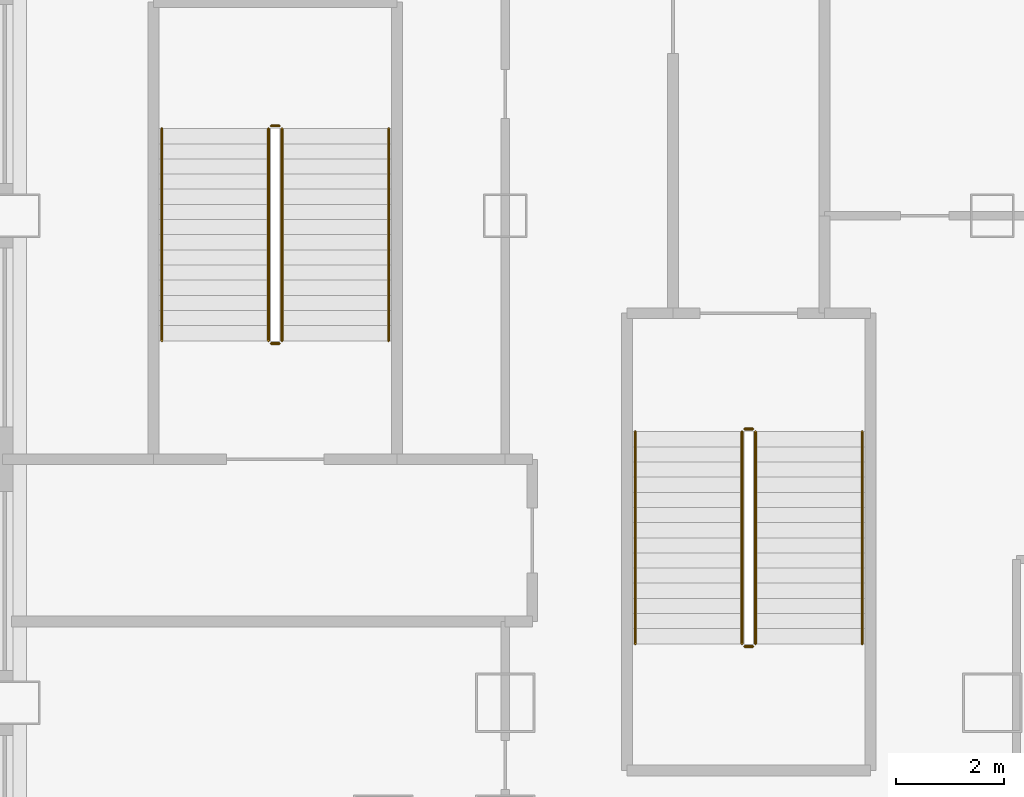
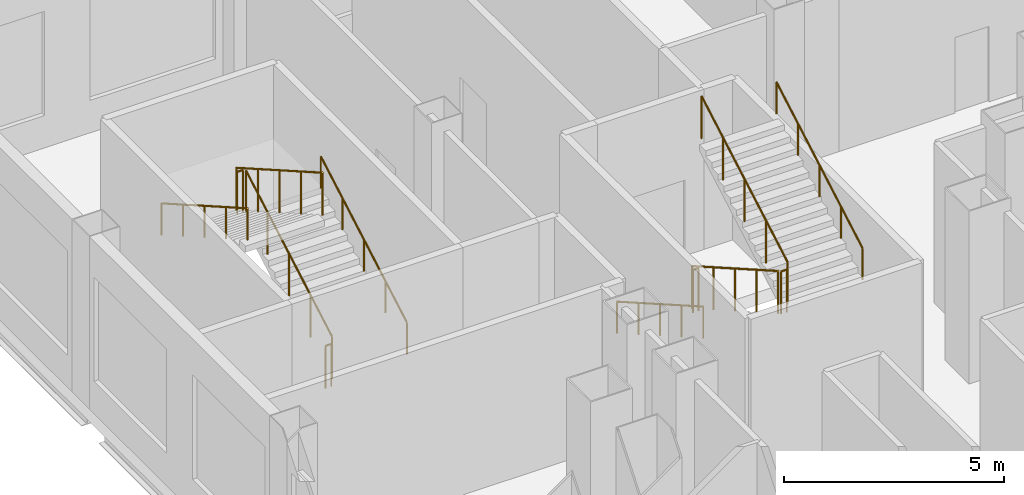
# One storey, part 21 of 23: 12 railings.
"""IFC4 building model written with IfcOpenShell, lengths in metres."""

from ifc_helpers import new_model, si_unit, direction, frame, origin, origin_2d, place, context, subcontext, project, spatial, circle, extrude, material, type_object, element, save


model = new_model("IFC4")

# Units and contexts
model_context = context("Model", 3, precision=1e-05, world=origin(), true_north=direction((0.0, 1.0)))
body_context = subcontext(model_context, "Body", "Model", "MODEL_VIEW")
ifc_project = project(units=[si_unit("LENGTHUNIT", "METRE"), si_unit("AREAUNIT", "SQUARE_METRE"), si_unit("VOLUMEUNIT", "CUBIC_METRE"), si_unit("PLANEANGLEUNIT", "RADIAN"), si_unit("MASSUNIT", "GRAM", prefix="KILO")], contexts=[model_context])

# Site, building, storey
site_placement = place(None, origin())
site = spatial("IfcSite", under=ifc_project, at=site_placement, CompositionType="ELEMENT")
building_placement = place(site_placement, origin())
building = spatial("IfcBuilding", under=site, at=building_placement, Name="Caravel Reach Hotel and Residences", CompositionType="ELEMENT")
storey_placement = place(building_placement, frame((0.0, 0.0, 24.0)))
storey = spatial("IfcBuildingStorey", under=building, at=storey_placement, Name="L04", CompositionType="ELEMENT", Elevation=24.0)

# Railings
ifc_material_1 = material(Name="Steel balustrade with glass infill", Category="steel")
railing_type_1 = type_object("IfcRailingType", Name="Guard 1200", PredefinedType="GUARDRAIL", material=ifc_material_1)
railing_1_placement = place(storey_placement, frame((8.875, 41.010009765625, 0.159912109375)))
element("IfcRailing", 1, at=railing_1_placement, inside=storey, type_object=railing_type_1, Name="L04 ST-P1 stair guard 1", PredefinedType="GUARDRAIL", context=body_context, shape_type="SweptSolid", body=[
    extrude(circle(Radius=0.02392578125, at=origin_2d()), frame((0.0, 0.0, 1.17578125), z_axis=(0.0, -0.868239814368, 0.496144761885), x_axis=(1.0, 0.0, 0.0)), (0.0, 0.0, 1.0), 4.514892578125),
    extrude(circle(Radius=0.02099609375, at=origin_2d()), origin(), (0.0, 0.0, 1.0), 1.15185546875),
    extrude(circle(Radius=0.02099609375, at=origin_2d()), frame((0.0, -0.97998046875, 0.56005859375)), (0.0, 0.0, 1.0), 1.15185546875),
    extrude(circle(Radius=0.02099609375, at=origin_2d()), frame((0.0, -1.9599609375, 1.1201171875)), (0.0, 0.0, 1.0), 1.15185546875),
    extrude(circle(Radius=0.02099609375, at=origin_2d()), frame((0.0, -2.93994140625, 1.679931640625)), (0.0, 0.0, 1.0), 1.15185546875),
    extrude(circle(Radius=0.02099609375, at=origin_2d()), frame((0.0, -3.919921875, 2.239990234375)), (0.0, 0.0, 1.0), 1.15185546875),
])
railing_2_placement = place(storey_placement, frame((8.925048828125, 37.0400390625, 2.39990234375)))
element("IfcRailing", 2, at=railing_2_placement, inside=storey, type_object=railing_type_1, Name="L04 ST-P1 stair guard 2", PredefinedType="GUARDRAIL", context=body_context, shape_type="SweptSolid", body=[
    extrude(circle(Radius=0.02392578125, at=origin_2d()), frame((0.0, 0.0, 1.17578125), z_axis=(1.0, 0.0, 0.0), x_axis=(0.0, 1.0, 0.0)), (0.0, 0.0, 1.0), 0.14990234375),
    extrude(circle(Radius=0.02099609375, at=origin_2d()), origin(), (0.0, 0.0, 1.0), 1.15185546875),
    extrude(circle(Radius=0.02099609375, at=origin_2d()), frame((0.14990234375, 0.0, 0.0)), (0.0, 0.0, 1.0), 1.15185546875),
])
railing_3_placement = place(storey_placement, frame((9.125, 37.090087890625, 2.56005859375)))
element("IfcRailing", 3, at=railing_3_placement, inside=storey, type_object=railing_type_1, Name="L04 ST-P1 stair guard 3", PredefinedType="GUARDRAIL", context=body_context, shape_type="SweptSolid", body=[
    extrude(circle(Radius=0.02392578125, at=origin_2d()), frame((0.0, 0.0, 1.17578125), z_axis=(0.0, 0.868239814368, 0.496144761885), x_axis=(-1.0, 0.0, 0.0)), (0.0, 0.0, 1.0), 4.514892578125),
    extrude(circle(Radius=0.02099609375, at=origin_2d()), origin(), (0.0, 0.0, 1.0), 1.15185546875),
    extrude(circle(Radius=0.02099609375, at=origin_2d()), frame((0.0, 0.97998046875, 0.56005859375)), (0.0, 0.0, 1.0), 1.15185546875),
    extrude(circle(Radius=0.02099609375, at=origin_2d()), frame((0.0, 1.9599609375, 1.1201171875)), (0.0, 0.0, 1.0), 1.15185546875),
    extrude(circle(Radius=0.02099609375, at=origin_2d()), frame((0.0, 2.93994140625, 1.679931640625)), (0.0, 0.0, 1.0), 1.15185546875),
    extrude(circle(Radius=0.02099609375, at=origin_2d()), frame((0.0, 3.919921875, 2.239990234375)), (0.0, 0.0, 1.0), 1.15185546875),
])
railing_4_placement = place(storey_placement, frame((8.925048828125, 41.06005859375, 0.0)))
element("IfcRailing", 4, at=railing_4_placement, inside=storey, type_object=railing_type_1, Name="L04 ST-P1 stair guard 4", PredefinedType="GUARDRAIL", context=body_context, shape_type="SweptSolid", body=[
    extrude(circle(Radius=0.02392578125, at=origin_2d()), frame((0.0, 0.0, 1.17578125), z_axis=(1.0, 0.0, 0.0), x_axis=(0.0, 1.0, 0.0)), (0.0, 0.0, 1.0), 0.14990234375),
    extrude(circle(Radius=0.02099609375, at=origin_2d()), origin(), (0.0, 0.0, 1.0), 1.15185546875),
    extrude(circle(Radius=0.02099609375, at=origin_2d()), frame((0.14990234375, 0.0, 0.0)), (0.0, 0.0, 1.0), 1.15185546875),
])
railing_5_placement = place(storey_placement, frame((0.375, 42.68994140625, 0.159912109375)))
element("IfcRailing", 5, at=railing_5_placement, inside=storey, type_object=railing_type_1, Name="L04 ST-P5 stair guard 1", PredefinedType="GUARDRAIL", context=body_context, shape_type="SweptSolid", body=[
    extrude(circle(Radius=0.02392578125, at=origin_2d()), frame((0.0, 0.0, 1.17578125), z_axis=(0.0, 0.86825312469, 0.496121468458), x_axis=(-1.0, 0.0, 0.0)), (0.0, 0.0, 1.0), 4.514892578125),
    extrude(circle(Radius=0.02099609375, at=origin_2d()), origin(), (0.0, 0.0, 1.0), 1.15185546875),
    extrude(circle(Radius=0.02099609375, at=origin_2d()), frame((0.0, 0.97998046875, 0.56005859375)), (0.0, 0.0, 1.0), 1.15185546875),
    extrude(circle(Radius=0.02099609375, at=origin_2d()), frame((0.0, 1.9599609375, 1.1201171875)), (0.0, 0.0, 1.0), 1.15185546875),
    extrude(circle(Radius=0.02099609375, at=origin_2d()), frame((0.0, 2.940185546875, 1.679931640625)), (0.0, 0.0, 1.0), 1.15185546875),
    extrude(circle(Radius=0.02099609375, at=origin_2d()), frame((0.0, 3.920166015625, 2.239990234375)), (0.0, 0.0, 1.0), 1.15185546875),
])
railing_6_placement = place(storey_placement, frame((0.324951171875, 46.659912109375, 2.39990234375)))
element("IfcRailing", 6, at=railing_6_placement, inside=storey, type_object=railing_type_1, Name="L04 ST-P5 stair guard 2", PredefinedType="GUARDRAIL", context=body_context, shape_type="SweptSolid", body=[
    extrude(circle(Radius=0.02392578125, at=origin_2d()), frame((0.0, 0.0, 1.17578125), z_axis=(-1.0, 0.0, 0.0), x_axis=(0.0, -1.0, 0.0)), (0.0, 0.0, 1.0), 0.14990234375),
    extrude(circle(Radius=0.02099609375, at=origin_2d()), origin(), (0.0, 0.0, 1.0), 1.15185546875),
    extrude(circle(Radius=0.02099609375, at=origin_2d()), frame((-0.14990234375, 0.0, 0.0)), (0.0, 0.0, 1.0), 1.15185546875),
])
railing_7_placement = place(storey_placement, frame((0.125, 46.610107421875, 2.56005859375)))
element("IfcRailing", 7, at=railing_7_placement, inside=storey, type_object=railing_type_1, Name="L04 ST-P5 stair guard 3", PredefinedType="GUARDRAIL", context=body_context, shape_type="SweptSolid", body=[
    extrude(circle(Radius=0.02392578125, at=origin_2d()), frame((0.0, 0.0, 1.17578125), z_axis=(0.0, -0.86825312469, 0.496121468458), x_axis=(1.0, 0.0, 0.0)), (0.0, 0.0, 1.0), 4.514892578125),
    extrude(circle(Radius=0.02099609375, at=origin_2d()), origin(), (0.0, 0.0, 1.0), 1.15185546875),
    extrude(circle(Radius=0.02099609375, at=origin_2d()), frame((0.0, -0.97998046875, 0.56005859375)), (0.0, 0.0, 1.0), 1.15185546875),
    extrude(circle(Radius=0.02099609375, at=origin_2d()), frame((0.0, -1.9599609375, 1.1201171875)), (0.0, 0.0, 1.0), 1.15185546875),
    extrude(circle(Radius=0.02099609375, at=origin_2d()), frame((0.0, -2.940185546875, 1.679931640625)), (0.0, 0.0, 1.0), 1.15185546875),
    extrude(circle(Radius=0.02099609375, at=origin_2d()), frame((0.0, -3.920166015625, 2.239990234375)), (0.0, 0.0, 1.0), 1.15185546875),
])
railing_8_placement = place(storey_placement, frame((0.324951171875, 42.639892578125, 0.0)))
element("IfcRailing", 8, at=railing_8_placement, inside=storey, type_object=railing_type_1, Name="L04 ST-P5 stair guard 4", PredefinedType="GUARDRAIL", context=body_context, shape_type="SweptSolid", body=[
    extrude(circle(Radius=0.02392578125, at=origin_2d()), frame((0.0, 0.0, 1.17578125), z_axis=(-1.0, 0.0, 0.0), x_axis=(0.0, -1.0, 0.0)), (0.0, 0.0, 1.0), 0.14990234375),
    extrude(circle(Radius=0.02099609375, at=origin_2d()), origin(), (0.0, 0.0, 1.0), 1.15185546875),
    extrude(circle(Radius=0.02099609375, at=origin_2d()), frame((-0.14990234375, 0.0, 0.0)), (0.0, 0.0, 1.0), 1.15185546875),
])
ifc_material_2 = material(Name="Stainless steel handrail", Category="steel")
railing_type_2 = type_object("IfcRailingType", Name="Handrail 900", PredefinedType="HANDRAIL", material=ifc_material_2)
railing_9_placement = place(storey_placement, frame((6.905029296875, 41.010009765625, 0.159912109375)))
element("IfcRailing", 9, at=railing_9_placement, inside=storey, type_object=railing_type_2, Name="L04 ST-P1 stair handrail 1", PredefinedType="HANDRAIL", context=body_context, shape_type="SweptSolid", body=[
    extrude(circle(Radius=0.02392578125, at=origin_2d()), frame((0.0, 0.0, 0.8759765625), z_axis=(0.0, -0.868239814368, 0.496144761885), x_axis=(1.0, 0.0, 0.0)), (0.0, 0.0, 1.0), 4.514892578125),
    extrude(circle(Radius=0.02099609375, at=origin_2d()), origin(), (0.0, 0.0, 1.0), 0.851806640625),
    extrude(circle(Radius=0.02099609375, at=origin_2d()), frame((0.0, -0.97998046875, 0.56005859375)), (0.0, 0.0, 1.0), 0.851806640625),
    extrude(circle(Radius=0.02099609375, at=origin_2d()), frame((0.0, -1.9599609375, 1.1201171875)), (0.0, 0.0, 1.0), 0.851806640625),
    extrude(circle(Radius=0.02099609375, at=origin_2d()), frame((0.0, -2.93994140625, 1.679931640625)), (0.0, 0.0, 1.0), 0.851806640625),
    extrude(circle(Radius=0.02099609375, at=origin_2d()), frame((0.0, -3.919921875, 2.239990234375)), (0.0, 0.0, 1.0), 0.851806640625),
])
railing_10_placement = place(storey_placement, frame((11.094970703125, 37.090087890625, 2.56005859375)))
element("IfcRailing", 10, at=railing_10_placement, inside=storey, type_object=railing_type_2, Name="L04 ST-P1 stair handrail 2", PredefinedType="HANDRAIL", context=body_context, shape_type="SweptSolid", body=[
    extrude(circle(Radius=0.02392578125, at=origin_2d()), frame((0.0, 0.0, 0.8759765625), z_axis=(0.0, 0.868239814368, 0.496144761885), x_axis=(-1.0, 0.0, 0.0)), (0.0, 0.0, 1.0), 4.514892578125),
    extrude(circle(Radius=0.02099609375, at=origin_2d()), origin(), (0.0, 0.0, 1.0), 0.851806640625),
    extrude(circle(Radius=0.02099609375, at=origin_2d()), frame((0.0, 0.97998046875, 0.56005859375)), (0.0, 0.0, 1.0), 0.851806640625),
    extrude(circle(Radius=0.02099609375, at=origin_2d()), frame((0.0, 1.9599609375, 1.1201171875)), (0.0, 0.0, 1.0), 0.851806640625),
    extrude(circle(Radius=0.02099609375, at=origin_2d()), frame((0.0, 2.93994140625, 1.679931640625)), (0.0, 0.0, 1.0), 0.851806640625),
    extrude(circle(Radius=0.02099609375, at=origin_2d()), frame((0.0, 3.919921875, 2.239990234375)), (0.0, 0.0, 1.0), 0.851806640625),
])
railing_11_placement = place(storey_placement, frame((2.344970703125, 42.68994140625, 0.159912109375)))
element("IfcRailing", 11, at=railing_11_placement, inside=storey, type_object=railing_type_2, Name="L04 ST-P5 stair handrail 1", PredefinedType="HANDRAIL", context=body_context, shape_type="SweptSolid", body=[
    extrude(circle(Radius=0.02392578125, at=origin_2d()), frame((0.0, 0.0, 0.8759765625), z_axis=(0.0, 0.86825312469, 0.496121468458), x_axis=(-1.0, 0.0, 0.0)), (0.0, 0.0, 1.0), 4.514892578125),
    extrude(circle(Radius=0.02099609375, at=origin_2d()), origin(), (0.0, 0.0, 1.0), 0.851806640625),
    extrude(circle(Radius=0.02099609375, at=origin_2d()), frame((0.0, 0.97998046875, 0.56005859375)), (0.0, 0.0, 1.0), 0.851806640625),
    extrude(circle(Radius=0.02099609375, at=origin_2d()), frame((0.0, 1.9599609375, 1.1201171875)), (0.0, 0.0, 1.0), 0.851806640625),
    extrude(circle(Radius=0.02099609375, at=origin_2d()), frame((0.0, 2.940185546875, 1.679931640625)), (0.0, 0.0, 1.0), 0.851806640625),
    extrude(circle(Radius=0.02099609375, at=origin_2d()), frame((0.0, 3.920166015625, 2.239990234375)), (0.0, 0.0, 1.0), 0.851806640625),
])
railing_12_placement = place(storey_placement, frame((-1.844970703125, 46.610107421875, 2.56005859375)))
element("IfcRailing", 12, at=railing_12_placement, inside=storey, type_object=railing_type_2, Name="L04 ST-P5 stair handrail 2", PredefinedType="HANDRAIL", context=body_context, shape_type="SweptSolid", body=[
    extrude(circle(Radius=0.02392578125, at=origin_2d()), frame((0.0, 0.0, 0.8759765625), z_axis=(0.0, -0.86825312469, 0.496121468458), x_axis=(1.0, 0.0, 0.0)), (0.0, 0.0, 1.0), 4.514892578125),
    extrude(circle(Radius=0.02099609375, at=origin_2d()), origin(), (0.0, 0.0, 1.0), 0.851806640625),
    extrude(circle(Radius=0.02099609375, at=origin_2d()), frame((0.0, -0.97998046875, 0.56005859375)), (0.0, 0.0, 1.0), 0.851806640625),
    extrude(circle(Radius=0.02099609375, at=origin_2d()), frame((0.0, -1.9599609375, 1.1201171875)), (0.0, 0.0, 1.0), 0.851806640625),
    extrude(circle(Radius=0.02099609375, at=origin_2d()), frame((0.0, -2.940185546875, 1.679931640625)), (0.0, 0.0, 1.0), 0.851806640625),
    extrude(circle(Radius=0.02099609375, at=origin_2d()), frame((0.0, -3.920166015625, 2.239990234375)), (0.0, 0.0, 1.0), 0.851806640625),
])

save(model, "model.ifc")
